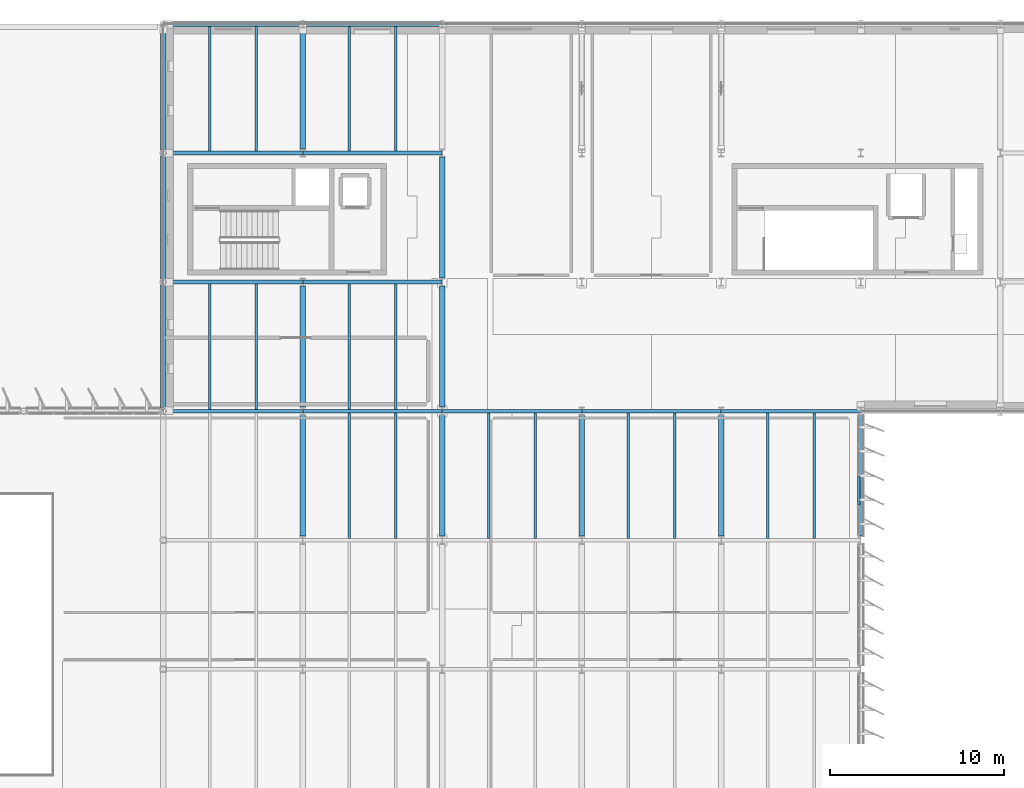
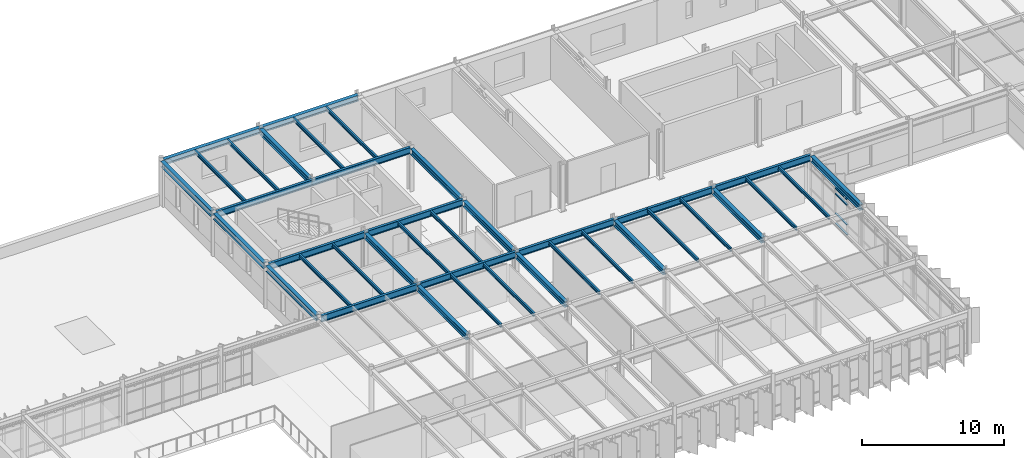
# One storey, part 24 of 56: 39 beams, 4 members, 1 element without a shape of its own.
"""IFC4 building model written with IfcOpenShell, lengths in metres."""

from ifc_helpers import new_model, si_unit, direction, frame, origin, origin_2d, place, context, subcontext, project, spatial, rectangle, i_section, extrude, material, layer, layer_set, material_profile, profile_set, type_object, element, aggregate, save


model = new_model("IFC4")

# Units and contexts
model_context = context("Model", 3, precision=1e-05, world=origin(), true_north=direction((0.0, 1.0)))
body_context = subcontext(model_context, "Body", "Model", "MODEL_VIEW")
ifc_project = project(units=[si_unit("LENGTHUNIT", "METRE"), si_unit("AREAUNIT", "SQUARE_METRE"), si_unit("VOLUMEUNIT", "CUBIC_METRE"), si_unit("PLANEANGLEUNIT", "RADIAN"), si_unit("MASSUNIT", "GRAM", prefix="KILO")], contexts=[model_context])

# Site, building, storey
site_placement = place(None, origin())
site = spatial("IfcSite", under=ifc_project, at=site_placement, CompositionType="ELEMENT")
building_placement = place(site_placement, origin())
building = spatial("IfcBuilding", under=site, at=building_placement, Name="Valkorina Park Police Headquarters", CompositionType="ELEMENT")
storey_placement = place(building_placement, frame((0.0, 0.0, 14.10009765625)))
storey = spatial("IfcBuildingStorey", under=building, at=storey_placement, Name="L04", CompositionType="ELEMENT", Elevation=14.10009765625)

# Beams
ifc_material_1 = material(Name="Steel S355", Category="steel")
ifc_material_profile_1 = material_profile(ifc_material_1, i_section(OverallWidth=0.300048828125, OverallDepth=0.489990234375, WebThickness=0.011962890625, FlangeThickness=0.02294921875, FilletRadius=0.027099609375, at=origin_2d()), Name="HEA 500")
ifc_profile_set_1 = profile_set([ifc_material_profile_1], Name="Steel S355")
beam_type_1 = type_object("IfcBeamType", Name="BM-S355-HEA500-BM", PredefinedType="BEAM", material=ifc_profile_set_1)
beam_1_placement = place(storey_placement, frame((88.800048828125, 52.02490234375, 3.494873046875), z_axis=(0.0, 1.0, 0.0), x_axis=(-1.0, 0.0, 0.0)))
element("IfcBeam", 1, at=beam_1_placement, inside=storey, type_object=beam_type_1, Name="L04 Framing Beam 2353", PredefinedType="BEAM", context=body_context, shape_type="SweptSolid", body=[
    extrude(i_section(OverallWidth=0.300048828125, OverallDepth=0.489990234375, WebThickness=0.011962890625, FlangeThickness=0.02294921875, FilletRadius=0.027099609375, at=origin_2d()), origin(), (0.0, 0.0, 1.0), 6.9501953125),
])
for number, where, z_axis, x_axis, name in (
    (2, (88.800048828125, 59.425048828125, 3.494873046875), (0.0, 1.0, 0.0), (-1.0, 0.0, 0.0), "L04 Framing Beam 2356"),
    (3, (88.800048828125, 74.22509765625, 3.494873046875), (0.0, 1.0, 0.0), (-1.0, 0.0, 0.0), "L04 Framing Beam 2359"),
):
    element("IfcBeam", number, at=place(storey_placement, frame(where, z_axis=z_axis, x_axis=x_axis)), inside=storey, type_object=beam_type_1, Name=name, PredefinedType="BEAM", context=body_context, shape_type="SweptSolid", body=[
        extrude(i_section(OverallWidth=0.300048828125, OverallDepth=0.489990234375, WebThickness=0.011962890625, FlangeThickness=0.02294921875, FilletRadius=0.027099609375, at=origin_2d()), origin(), (0.0, 0.0, 1.0), 6.949951171875),
    ])
beam_2_placement = place(storey_placement, frame((96.800048828125, 52.02490234375, 3.494873046875), z_axis=(0.0, 1.0, 0.0), x_axis=(-1.0, 0.0, 0.0)))
element("IfcBeam", 4, at=beam_2_placement, inside=storey, type_object=beam_type_1, Name="L04 Framing Beam 2368", PredefinedType="BEAM", context=body_context, shape_type="SweptSolid", body=[
    extrude(i_section(OverallWidth=0.300048828125, OverallDepth=0.489990234375, WebThickness=0.011962890625, FlangeThickness=0.02294921875, FilletRadius=0.027099609375, at=origin_2d()), origin(), (0.0, 0.0, 1.0), 6.9501953125),
])
for number, where, z_axis, x_axis, name in (
    (5, (96.800048828125, 59.425048828125, 3.494873046875), (0.0, 1.0, 0.0), (-1.0, 0.0, 0.0), "L04 Framing Beam 2371"),
    (6, (96.800048828125, 66.824951171875, 3.494873046875), (0.0, 1.0, 0.0), (-1.0, 0.0, 0.0), "L04 Framing Beam 2372"),
):
    element("IfcBeam", number, at=place(storey_placement, frame(where, z_axis=z_axis, x_axis=x_axis)), inside=storey, type_object=beam_type_1, Name=name, PredefinedType="BEAM", context=body_context, shape_type="SweptSolid", body=[
        extrude(i_section(OverallWidth=0.300048828125, OverallDepth=0.489990234375, WebThickness=0.011962890625, FlangeThickness=0.02294921875, FilletRadius=0.027099609375, at=origin_2d()), origin(), (0.0, 0.0, 1.0), 6.949951171875),
    ])
for number, where, z_axis, x_axis, name in (
    (7, (104.800048828125, 52.02490234375, 3.494873046875), (0.0, 1.0, 0.0), (-1.0, 0.0, 0.0), "L04 Framing Beam 2380"),
    (8, (112.800048828125, 52.02490234375, 3.4248046875), (0.0, 1.0, 0.0), (-1.0, 0.0, 0.0), "L04 Framing Beam 2389"),
):
    element("IfcBeam", number, at=place(storey_placement, frame(where, z_axis=z_axis, x_axis=x_axis)), inside=storey, type_object=beam_type_1, Name=name, PredefinedType="BEAM", context=body_context, shape_type="SweptSolid", body=[
        extrude(i_section(OverallWidth=0.300048828125, OverallDepth=0.489990234375, WebThickness=0.011962890625, FlangeThickness=0.02294921875, FilletRadius=0.027099609375, at=origin_2d()), origin(), (0.0, 0.0, 1.0), 6.9501953125),
    ])
ifc_material_profile_2 = material_profile(ifc_material_1, i_section(OverallWidth=0.300048828125, OverallDepth=0.489990234375, WebThickness=0.011962890625, FlangeThickness=0.02294921875, FilletRadius=0.027099609375, at=origin_2d()), Name="HEA 500")
ifc_profile_set_2 = profile_set([ifc_material_profile_2], Name="Steel S355")
beam_type_2 = type_object("IfcBeamType", Name="BM-S355-HEA500-SPN", PredefinedType="SPANDREL", material=ifc_profile_set_2)
beam_3_placement = place(storey_placement, frame((80.977783203125, 81.39990234375, 3.494873046875), z_axis=(1.0, 0.0, 0.0), x_axis=(0.0, 1.0, 0.0)))
element("IfcBeam", 9, at=beam_3_placement, inside=storey, type_object=beam_type_2, Name="L04 Framing Beam 2281", PredefinedType="SPANDREL", context=body_context, shape_type="SweptSolid", body=[
    extrude(i_section(OverallWidth=0.300048828125, OverallDepth=0.489990234375, WebThickness=0.011962890625, FlangeThickness=0.02294921875, FilletRadius=0.027099609375, at=origin_2d()), origin(), (0.0, 0.0, 1.0), 7.815185546875),
])
beam_4_placement = place(storey_placement, frame((88.806884765625, 81.39990234375, 3.494873046875), z_axis=(1.0, 0.0, 0.0), x_axis=(0.0, 1.0, 0.0)))
element("IfcBeam", 10, at=beam_4_placement, inside=storey, type_object=beam_type_2, Name="L04 Framing Beam 2282", PredefinedType="SPANDREL", context=body_context, shape_type="SweptSolid", body=[
    extrude(i_section(OverallWidth=0.300048828125, OverallDepth=0.489990234375, WebThickness=0.011962890625, FlangeThickness=0.02294921875, FilletRadius=0.027099609375, at=origin_2d()), origin(), (0.0, 0.0, 1.0), 7.986083984375),
])
for number, where, z_axis, x_axis, name in (
    (11, (80.800048828125, 59.377685546875, 3.494873046875), (0.0, 1.0, 0.0), (-1.0, 0.0, 0.0), "L04 Framing Beam 2340"),
    (12, (80.800048828125, 66.77783203125, 3.494873046875), (0.0, 1.0, 0.0), (-1.0, 0.0, 0.0), "L04 Framing Beam 2343"),
    (13, (80.800048828125, 74.177734375, 3.494873046875), (0.0, 1.0, 0.0), (-1.0, 0.0, 0.0), "L04 Framing Beam 2344"),
):
    element("IfcBeam", number, at=place(storey_placement, frame(where, z_axis=z_axis, x_axis=x_axis)), inside=storey, type_object=beam_type_2, Name=name, PredefinedType="SPANDREL", context=body_context, shape_type="SweptSolid", body=[
        extrude(i_section(OverallWidth=0.300048828125, OverallDepth=0.489990234375, WebThickness=0.011962890625, FlangeThickness=0.02294921875, FilletRadius=0.027099609375, at=origin_2d()), origin(), (0.0, 0.0, 1.0), 7.04443359375),
    ])
beam_5_placement = place(storey_placement, frame((120.800048828125, 52.02490234375, 3.4248046875), z_axis=(0.0, 1.0, 0.0), x_axis=(-1.0, 0.0, 0.0)))
element("IfcBeam", 14, at=beam_5_placement, inside=storey, type_object=beam_type_2, Name="L04 Framing Beam 2394", PredefinedType="SPANDREL", context=body_context, shape_type="SweptSolid", body=[
    extrude(i_section(OverallWidth=0.300048828125, OverallDepth=0.489990234375, WebThickness=0.011962890625, FlangeThickness=0.02294921875, FilletRadius=0.027099609375, at=origin_2d()), origin(), (0.0, 0.0, 1.0), 6.9501953125),
])
ifc_material_profile_3 = material_profile(ifc_material_1, i_section(OverallWidth=0.14990234375, OverallDepth=0.300048828125, WebThickness=0.007080078125, FlangeThickness=0.0107421875, FilletRadius=0.014892578125, at=origin_2d()), Name="IPE 300")
ifc_profile_set_3 = profile_set([ifc_material_profile_3], Name="Steel S355")
beam_type_3 = type_object("IfcBeamType", Name="BM-S355-IPE300-JST", PredefinedType="JOIST", material=ifc_profile_set_3)
for number, where, z_axis, x_axis, name in (
    (15, (83.466796875, 59.304931640625, 3.58984375), (0.0, 1.0, 0.0), (-1.0, 0.0, 0.0), "L04 Framing Beam 2341"),
    (16, (86.13330078125, 59.304931640625, 3.58984375), (0.0, 1.0, 0.0), (-1.0, 0.0, 0.0), "L04 Framing Beam 2342"),
):
    element("IfcBeam", number, at=place(storey_placement, frame(where, z_axis=z_axis, x_axis=x_axis)), inside=storey, type_object=beam_type_3, Name=name, PredefinedType="JOIST", context=body_context, shape_type="SweptSolid", body=[
        extrude(i_section(OverallWidth=0.14990234375, OverallDepth=0.300048828125, WebThickness=0.007080078125, FlangeThickness=0.0107421875, FilletRadius=0.014892578125, at=origin_2d()), origin(), (0.0, 0.0, 1.0), 7.190185546875),
    ])
for number, where, z_axis, x_axis, name in (
    (17, (83.466796875, 74.10498046875, 3.58984375), (0.0, 1.0, 0.0), (-1.0, 0.0, 0.0), "L04 Framing Beam 2345"),
    (18, (86.13330078125, 74.10498046875, 3.58984375), (0.0, 1.0, 0.0), (-1.0, 0.0, 0.0), "L04 Framing Beam 2346"),
):
    element("IfcBeam", number, at=place(storey_placement, frame(where, z_axis=z_axis, x_axis=x_axis)), inside=storey, type_object=beam_type_3, Name=name, PredefinedType="JOIST", context=body_context, shape_type="SweptSolid", body=[
        extrude(i_section(OverallWidth=0.14990234375, OverallDepth=0.300048828125, WebThickness=0.007080078125, FlangeThickness=0.0107421875, FilletRadius=0.014892578125, at=origin_2d()), origin(), (0.0, 0.0, 1.0), 7.14501953125),
    ])
for number, where, z_axis, x_axis, name in (
    (19, (91.466796875, 51.905029296875, 3.58984375), (0.0, 1.0, 0.0), (-1.0, 0.0, 0.0), "L04 Framing Beam 2354"),
    (20, (94.13330078125, 51.905029296875, 3.58984375), (0.0, 1.0, 0.0), (-1.0, 0.0, 0.0), "L04 Framing Beam 2355"),
):
    element("IfcBeam", number, at=place(storey_placement, frame(where, z_axis=z_axis, x_axis=x_axis)), inside=storey, type_object=beam_type_3, Name=name, PredefinedType="JOIST", context=body_context, shape_type="SweptSolid", body=[
        extrude(i_section(OverallWidth=0.14990234375, OverallDepth=0.300048828125, WebThickness=0.007080078125, FlangeThickness=0.0107421875, FilletRadius=0.014892578125, at=origin_2d()), origin(), (0.0, 0.0, 1.0), 7.18994140625),
    ])
for number, where, z_axis, x_axis, name in (
    (21, (91.466796875, 59.304931640625, 3.58984375), (0.0, 1.0, 0.0), (-1.0, 0.0, 0.0), "L04 Framing Beam 2357"),
    (22, (94.13330078125, 59.304931640625, 3.58984375), (0.0, 1.0, 0.0), (-1.0, 0.0, 0.0), "L04 Framing Beam 2358"),
):
    element("IfcBeam", number, at=place(storey_placement, frame(where, z_axis=z_axis, x_axis=x_axis)), inside=storey, type_object=beam_type_3, Name=name, PredefinedType="JOIST", context=body_context, shape_type="SweptSolid", body=[
        extrude(i_section(OverallWidth=0.14990234375, OverallDepth=0.300048828125, WebThickness=0.007080078125, FlangeThickness=0.0107421875, FilletRadius=0.014892578125, at=origin_2d()), origin(), (0.0, 0.0, 1.0), 7.190185546875),
    ])
for number, where, z_axis, x_axis, name in (
    (23, (91.466796875, 74.10498046875, 3.58984375), (0.0, 1.0, 0.0), (-1.0, 0.0, 0.0), "L04 Framing Beam 2360"),
    (24, (94.13330078125, 74.10498046875, 3.58984375), (0.0, 1.0, 0.0), (-1.0, 0.0, 0.0), "L04 Framing Beam 2361"),
):
    element("IfcBeam", number, at=place(storey_placement, frame(where, z_axis=z_axis, x_axis=x_axis)), inside=storey, type_object=beam_type_3, Name=name, PredefinedType="JOIST", context=body_context, shape_type="SweptSolid", body=[
        extrude(i_section(OverallWidth=0.14990234375, OverallDepth=0.300048828125, WebThickness=0.007080078125, FlangeThickness=0.0107421875, FilletRadius=0.014892578125, at=origin_2d()), origin(), (0.0, 0.0, 1.0), 7.14501953125),
    ])
for number, where, z_axis, x_axis, name in (
    (25, (99.466796875, 51.905029296875, 3.58984375), (0.0, 1.0, 0.0), (-1.0, 0.0, 0.0), "L04 Framing Beam 2369"),
    (26, (102.13330078125, 51.905029296875, 3.58984375), (0.0, 1.0, 0.0), (-1.0, 0.0, 0.0), "L04 Framing Beam 2370"),
    (27, (107.466796875, 51.905029296875, 3.58984375), (0.0, 1.0, 0.0), (-1.0, 0.0, 0.0), "L04 Framing Beam 2381"),
    (28, (110.13330078125, 51.905029296875, 3.58984375), (0.0, 1.0, 0.0), (-1.0, 0.0, 0.0), "L04 Framing Beam 2382"),
    (29, (115.466796875, 51.905029296875, 3.52001953125), (0.0, 1.0, 0.0), (-1.0, 0.0, 0.0), "L04 Framing Beam 2390"),
    (30, (118.13330078125, 51.905029296875, 3.52001953125), (0.0, 1.0, 0.0), (-1.0, 0.0, 0.0), "L04 Framing Beam 2391"),
):
    element("IfcBeam", number, at=place(storey_placement, frame(where, z_axis=z_axis, x_axis=x_axis)), inside=storey, type_object=beam_type_3, Name=name, PredefinedType="JOIST", context=body_context, shape_type="SweptSolid", body=[
        extrude(i_section(OverallWidth=0.14990234375, OverallDepth=0.300048828125, WebThickness=0.007080078125, FlangeThickness=0.0107421875, FilletRadius=0.014892578125, at=origin_2d()), origin(), (0.0, 0.0, 1.0), 7.18994140625),
    ])
ifc_material_profile_4 = material_profile(ifc_material_1, i_section(OverallWidth=0.2099609375, OverallDepth=0.550048828125, WebThickness=0.010986328125, FlangeThickness=0.01708984375, FilletRadius=0.02392578125, at=origin_2d()), Name="IPE 550")
ifc_profile_set_4 = profile_set([ifc_material_profile_4], Name="Steel S355")
beam_type_4 = type_object("IfcBeamType", Name="BM-S355-IPE550-BM", PredefinedType="BEAM", material=ifc_profile_set_4)
beam_6_placement = place(storey_placement, frame((80.977783203125, 59.199951171875, 3.46484375), z_axis=(1.0, 0.0, 0.0), x_axis=(0.0, 1.0, 0.0)))
element("IfcBeam", 31, at=beam_6_placement, inside=storey, type_object=beam_type_4, Name="L04 Framing Beam 2259", PredefinedType="BEAM", context=body_context, shape_type="SweptSolid", body=[
    extrude(i_section(OverallWidth=0.2099609375, OverallDepth=0.550048828125, WebThickness=0.010986328125, FlangeThickness=0.01708984375, FilletRadius=0.02392578125, at=origin_2d()), origin(), (0.0, 0.0, 1.0), 7.815185546875),
])
for number, where, z_axis, x_axis, name in (
    (32, (88.806884765625, 59.199951171875, 3.46484375), (1.0, 0.0, 0.0), (0.0, 1.0, 0.0), "L04 Framing Beam 2260"),
    (33, (96.806884765625, 59.199951171875, 3.46484375), (1.0, 0.0, 0.0), (0.0, 1.0, 0.0), "L04 Framing Beam 2261"),
    (34, (104.806884765625, 59.199951171875, 3.39501953125), (1.0, 0.0, 0.0), (0.0, 1.0, 0.0), "L04 Framing Beam 2262"),
    (35, (112.806884765625, 59.199951171875, 3.39501953125), (1.0, 0.0, 0.0), (0.0, 1.0, 0.0), "L04 Framing Beam 2263"),
):
    element("IfcBeam", number, at=place(storey_placement, frame(where, z_axis=z_axis, x_axis=x_axis)), inside=storey, type_object=beam_type_4, Name=name, PredefinedType="BEAM", context=body_context, shape_type="SweptSolid", body=[
        extrude(i_section(OverallWidth=0.2099609375, OverallDepth=0.550048828125, WebThickness=0.010986328125, FlangeThickness=0.01708984375, FilletRadius=0.02392578125, at=origin_2d()), origin(), (0.0, 0.0, 1.0), 7.986083984375),
    ])
beam_7_placement = place(storey_placement, frame((80.977783203125, 66.60009765625, 3.46484375), z_axis=(1.0, 0.0, 0.0), x_axis=(0.0, 1.0, 0.0)))
element("IfcBeam", 36, at=beam_7_placement, inside=storey, type_object=beam_type_4, Name="L04 Framing Beam 2269", PredefinedType="BEAM", context=body_context, shape_type="SweptSolid", body=[
    extrude(i_section(OverallWidth=0.2099609375, OverallDepth=0.550048828125, WebThickness=0.010986328125, FlangeThickness=0.01708984375, FilletRadius=0.02392578125, at=origin_2d()), origin(), (0.0, 0.0, 1.0), 7.815185546875),
])
beam_8_placement = place(storey_placement, frame((88.806884765625, 66.60009765625, 3.46484375), z_axis=(1.0, 0.0, 0.0), x_axis=(0.0, 1.0, 0.0)))
element("IfcBeam", 37, at=beam_8_placement, inside=storey, type_object=beam_type_4, Name="L04 Framing Beam 2270", PredefinedType="BEAM", context=body_context, shape_type="SweptSolid", body=[
    extrude(i_section(OverallWidth=0.2099609375, OverallDepth=0.550048828125, WebThickness=0.010986328125, FlangeThickness=0.01708984375, FilletRadius=0.02392578125, at=origin_2d()), origin(), (0.0, 0.0, 1.0), 7.986083984375),
])
beam_9_placement = place(storey_placement, frame((80.977783203125, 74.0, 3.46484375), z_axis=(1.0, 0.0, 0.0), x_axis=(0.0, 1.0, 0.0)))
element("IfcBeam", 38, at=beam_9_placement, inside=storey, type_object=beam_type_4, Name="L04 Framing Beam 2275", PredefinedType="BEAM", context=body_context, shape_type="SweptSolid", body=[
    extrude(i_section(OverallWidth=0.2099609375, OverallDepth=0.550048828125, WebThickness=0.010986328125, FlangeThickness=0.01708984375, FilletRadius=0.02392578125, at=origin_2d()), origin(), (0.0, 0.0, 1.0), 7.815185546875),
])
beam_10_placement = place(storey_placement, frame((88.806884765625, 74.0, 3.46484375), z_axis=(1.0, 0.0, 0.0), x_axis=(0.0, 1.0, 0.0)))
element("IfcBeam", 39, at=beam_10_placement, inside=storey, type_object=beam_type_4, Name="L04 Framing Beam 2276", PredefinedType="BEAM", context=body_context, shape_type="SweptSolid", body=[
    extrude(i_section(OverallWidth=0.2099609375, OverallDepth=0.550048828125, WebThickness=0.010986328125, FlangeThickness=0.01708984375, FilletRadius=0.02392578125, at=origin_2d()), origin(), (0.0, 0.0, 1.0), 7.986083984375),
])

# Curtain wall, members
ifc_material_2 = material(Name="Thermally broken aluminium AW-6060", Category="aluminium")
ifc_layer = layer(ifc_material_2, 0.18994140625)
ifc_layer_set = layer_set([ifc_layer], Name="Thermally broken aluminium AW-6060")
curtain_wall_type = type_object("IfcCurtainWallType", Name="CW-V5-6930x3110", PredefinedType="NOTDEFINED", material=ifc_layer_set)
curtain_wall_placement = place(storey_placement, origin())
curtain_wall = element("IfcCurtainWall", 40, at=curtain_wall_placement, inside=storey, type_object=curtain_wall_type, Name="L04 Unitised Curtain Wall 040", PredefinedType="NOTDEFINED")
ifc_material_profile_5 = material_profile(ifc_material_2, rectangle(XDim=0.14990234375, YDim=0.070068359375, at=origin_2d()), Name="CWT-02 150x70")
ifc_profile_set_5 = profile_set([ifc_material_profile_5], Name="Thermally broken aluminium AW-6060")
member_type = type_object("IfcMemberType", Name="CWT-150x70", PredefinedType="USERDEFINED", material=ifc_profile_set_5)
member_1_placement = place(storey_placement, frame((120.679931640625, 55.465087890625, 0.034912109375), z_axis=(0.0, -1.0, 0.0), x_axis=(1.0, 0.0, 0.0)))
member_1 = element("IfcMember", 41, at=member_1_placement, type_object=member_type, Name="CW-V5-693-311 transom 3.1", ObjectType="TRANSOM", PredefinedType="USERDEFINED", context=body_context, shape_type="SweptSolid", body=[
    extrude(rectangle(XDim=0.14990234375, YDim=0.070068359375, at=origin_2d()), origin(), (0.0, 0.0, 1.0), 1.66259765625),
])
member_2_placement = place(storey_placement, frame((120.679931640625, 55.465087890625, 0.89990234375), z_axis=(0.0, -1.0, 0.0), x_axis=(1.0, 0.0, 0.0)))
member_2 = element("IfcMember", 42, at=member_2_placement, type_object=member_type, Name="CW-V5-693-311 transom 3.2", ObjectType="TRANSOM", PredefinedType="USERDEFINED", context=body_context, shape_type="SweptSolid", body=[
    extrude(rectangle(XDim=0.14990234375, YDim=0.070068359375, at=origin_2d()), origin(), (0.0, 0.0, 1.0), 1.66259765625),
])
member_3_placement = place(storey_placement, frame((120.679931640625, 55.465087890625, 2.58984375), z_axis=(0.0, -1.0, 0.0), x_axis=(1.0, 0.0, 0.0)))
member_3 = element("IfcMember", 43, at=member_3_placement, type_object=member_type, Name="CW-V5-693-311 transom 3.3", ObjectType="TRANSOM", PredefinedType="USERDEFINED", context=body_context, shape_type="SweptSolid", body=[
    extrude(rectangle(XDim=0.14990234375, YDim=0.070068359375, at=origin_2d()), origin(), (0.0, 0.0, 1.0), 1.66259765625),
])
member_4_placement = place(storey_placement, frame((120.679931640625, 55.465087890625, 3.074951171875), z_axis=(0.0, -1.0, 0.0), x_axis=(1.0, 0.0, 0.0)))
member_4 = element("IfcMember", 44, at=member_4_placement, type_object=member_type, Name="CW-V5-693-311 transom 3.4", ObjectType="TRANSOM", PredefinedType="USERDEFINED", context=body_context, shape_type="SweptSolid", body=[
    extrude(rectangle(XDim=0.14990234375, YDim=0.070068359375, at=origin_2d()), origin(), (0.0, 0.0, 1.0), 1.66259765625),
])
aggregate(curtain_wall, [member_1, member_2, member_3, member_4])

save(model, "model.ifc")
